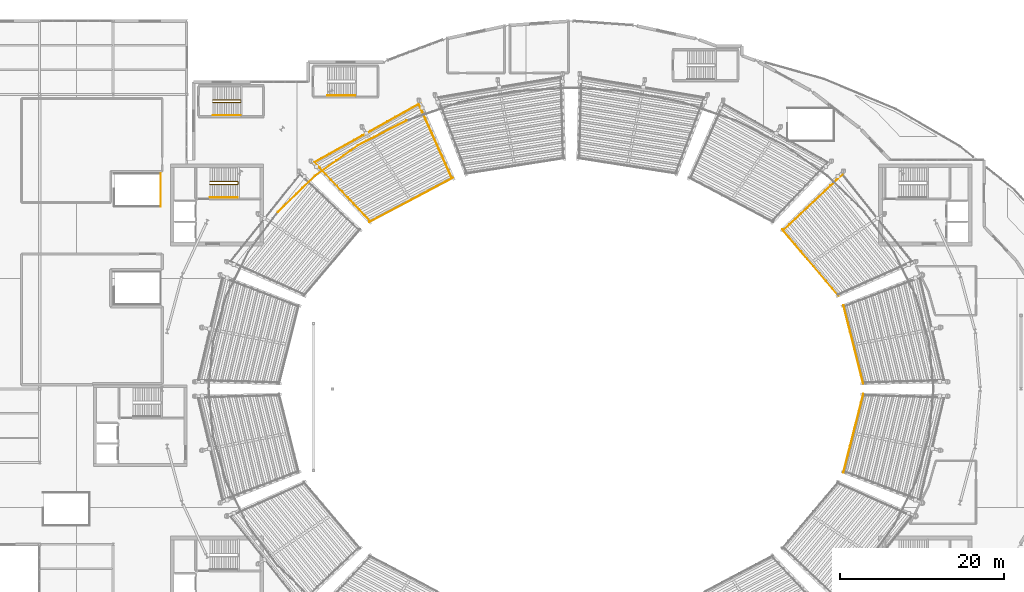
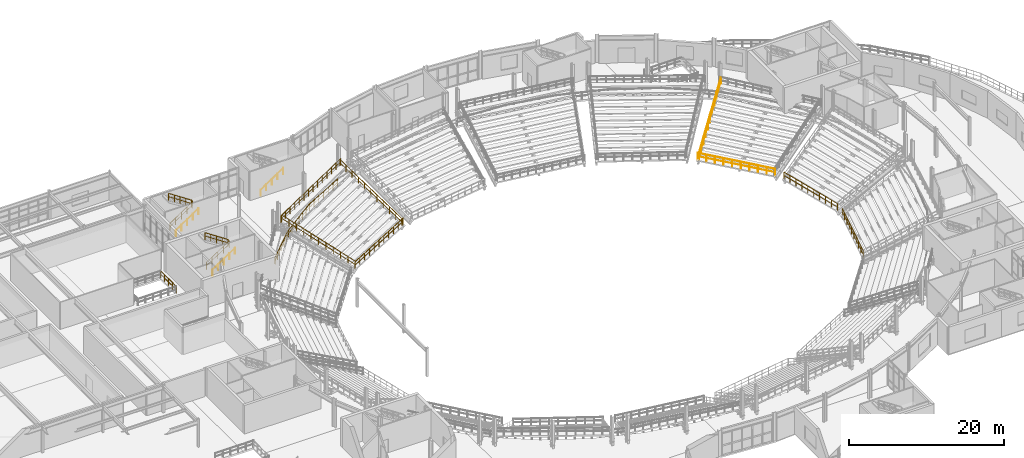
# One storey, part 76 of 81: 17 railings.
"""IFC4 building model written with IfcOpenShell, lengths in metres."""

from ifc_helpers import new_model, si_unit, direction, frame, origin, origin_2d, place, context, subcontext, project, spatial, circle, extrude, material, type_object, element, save


model = new_model("IFC4")

# Units and contexts
model_context = context("Model", 3, precision=1e-05, world=origin(), true_north=direction((0.0, 1.0)))
body_context = subcontext(model_context, "Body", "Model", "MODEL_VIEW")
ifc_project = project(units=[si_unit("LENGTHUNIT", "METRE"), si_unit("AREAUNIT", "SQUARE_METRE"), si_unit("VOLUMEUNIT", "CUBIC_METRE"), si_unit("PLANEANGLEUNIT", "RADIAN"), si_unit("MASSUNIT", "GRAM", prefix="KILO")], contexts=[model_context])

# Site, building, storey
site_placement = place(None, origin())
site = spatial("IfcSite", under=ifc_project, at=site_placement, CompositionType="ELEMENT")
building_placement = place(site_placement, origin())
building = spatial("IfcBuilding", under=site, at=building_placement, Name="Glasvene Arena", CompositionType="ELEMENT")
storey_placement = place(building_placement, frame((0.0, 0.0, 15.0)))
storey = spatial("IfcBuildingStorey", under=building, at=storey_placement, Name="L03", CompositionType="ELEMENT", Elevation=15.0)

# Railings
ifc_material = material(Name="Brushed stainless steel", Category="steel")
railing_type_1 = type_object("IfcRailingType", Name="RL-GUARD-1100", PredefinedType="GUARDRAIL", material=ifc_material)
railing_1_placement = place(storey_placement, frame((47.85009765625, 98.010009765625, 0.0)))
element("IfcRailing", 1, at=railing_1_placement, inside=storey, type_object=railing_type_1, Name="Stair inner well continuous guardrail ST-01-L03", PredefinedType="GUARDRAIL", context=body_context, shape_type="SweptSolid", body=[
    extrude(circle(Radius=0.02392578125, at=origin_2d()), frame((0.0, 0.0, 1.076171875), z_axis=(0.833924910587, 0.0, 0.551877924456), x_axis=(0.0, 1.0, 0.0)), (0.0, 0.0, 1.0), 4.076904296875),
    extrude(circle(Radius=0.01611328125, at=origin_2d()), frame((0.0, 0.0, 0.550048828125), z_axis=(0.833924910587, 0.0, 0.551877924456), x_axis=(0.0, 1.0, 0.0)), (0.0, 0.0, 1.0), 4.076904296875),
    extrude(circle(Radius=0.02392578125, at=origin_2d()), frame((3.39990234375, 0.0, 3.326171875), z_axis=(0.0, 1.0, 0.0), x_axis=(-1.0, 0.0, 0.0)), (0.0, 0.0, 1.0), 0.330078125),
    extrude(circle(Radius=0.01611328125, at=origin_2d()), frame((3.39990234375, 0.0, 2.800048828125), z_axis=(0.0, 1.0, 0.0), x_axis=(-1.0, 0.0, 0.0)), (0.0, 0.0, 1.0), 0.330078125),
    extrude(circle(Radius=0.02392578125, at=origin_2d()), frame((3.39990234375, 0.330078125, 3.326171875), z_axis=(-0.833924910587, 0.0, 0.551877924456), x_axis=(0.0, -1.0, 0.0)), (0.0, 0.0, 1.0), 4.076904296875),
    extrude(circle(Radius=0.01611328125, at=origin_2d()), frame((3.39990234375, 0.330078125, 2.800048828125), z_axis=(-0.833924910587, 0.0, 0.551877924456), x_axis=(0.0, -1.0, 0.0)), (0.0, 0.0, 1.0), 4.076904296875),
    extrude(circle(Radius=0.02099609375, at=origin_2d()), origin(), (0.0, 0.0, 1.0), 1.052001953125),
    extrude(circle(Radius=0.02099609375, at=origin_2d()), frame((0.85009765625, 0.0, 0.5625)), (0.0, 0.0, 1.0), 1.052001953125),
    extrude(circle(Radius=0.02099609375, at=origin_2d()), frame((1.699951171875, 0.0, 1.125)), (0.0, 0.0, 1.0), 1.052001953125),
    extrude(circle(Radius=0.02099609375, at=origin_2d()), frame((2.5498046875, 0.0, 1.6875)), (0.0, 0.0, 1.0), 1.052001953125),
    extrude(circle(Radius=0.02099609375, at=origin_2d()), frame((3.39990234375, 0.0, 2.25)), (0.0, 0.0, 1.0), 1.052001953125),
    extrude(circle(Radius=0.02099609375, at=origin_2d()), frame((3.39990234375, 0.330078125, 2.25)), (0.0, 0.0, 1.0), 1.052001953125),
    extrude(circle(Radius=0.02099609375, at=origin_2d()), frame((2.5498046875, 0.330078125, 2.8125)), (0.0, 0.0, 1.0), 1.052001953125),
    extrude(circle(Radius=0.02099609375, at=origin_2d()), frame((1.699951171875, 0.330078125, 3.375)), (0.0, 0.0, 1.0), 1.052001953125),
    extrude(circle(Radius=0.02099609375, at=origin_2d()), frame((0.85009765625, 0.330078125, 3.9375)), (0.0, 0.0, 1.0), 1.052001953125),
    extrude(circle(Radius=0.02099609375, at=origin_2d()), frame((0.0, 0.330078125, 4.5)), (0.0, 0.0, 1.0), 1.052001953125),
])
railing_2_placement = place(storey_placement, frame((48.199951171875, 108.010009765625, 0.0)))
element("IfcRailing", 2, at=railing_2_placement, inside=storey, type_object=railing_type_1, Name="Stair inner well continuous guardrail ST-12-L03", PredefinedType="GUARDRAIL", context=body_context, shape_type="SweptSolid", body=[
    extrude(circle(Radius=0.02392578125, at=origin_2d()), frame((0.0, 0.0, 1.076171875), z_axis=(0.833943147616, 0.0, 0.551850366082), x_axis=(0.0, 1.0, 0.0)), (0.0, 0.0, 1.0), 4.0771484375),
    extrude(circle(Radius=0.01611328125, at=origin_2d()), frame((0.0, 0.0, 0.550048828125), z_axis=(0.833943147616, 0.0, 0.551850366082), x_axis=(0.0, 1.0, 0.0)), (0.0, 0.0, 1.0), 4.0771484375),
    extrude(circle(Radius=0.02392578125, at=origin_2d()), frame((3.400146484375, 0.0, 3.326171875), z_axis=(0.0, 1.0, 0.0), x_axis=(-1.0, 0.0, 0.0)), (0.0, 0.0, 1.0), 0.330078125),
    extrude(circle(Radius=0.01611328125, at=origin_2d()), frame((3.400146484375, 0.0, 2.800048828125), z_axis=(0.0, 1.0, 0.0), x_axis=(-1.0, 0.0, 0.0)), (0.0, 0.0, 1.0), 0.330078125),
    extrude(circle(Radius=0.02392578125, at=origin_2d()), frame((3.400146484375, 0.330078125, 3.326171875), z_axis=(-0.833943147616, 0.0, 0.551850366082), x_axis=(0.0, -1.0, 0.0)), (0.0, 0.0, 1.0), 4.0771484375),
    extrude(circle(Radius=0.01611328125, at=origin_2d()), frame((3.400146484375, 0.330078125, 2.800048828125), z_axis=(-0.833943147616, 0.0, 0.551850366082), x_axis=(0.0, -1.0, 0.0)), (0.0, 0.0, 1.0), 4.0771484375),
    extrude(circle(Radius=0.02099609375, at=origin_2d()), origin(), (0.0, 0.0, 1.0), 1.052001953125),
    extrude(circle(Radius=0.02099609375, at=origin_2d()), frame((0.85009765625, 0.0, 0.5625)), (0.0, 0.0, 1.0), 1.052001953125),
    extrude(circle(Radius=0.02099609375, at=origin_2d()), frame((1.7001953125, 0.0, 1.125)), (0.0, 0.0, 1.0), 1.052001953125),
    extrude(circle(Radius=0.02099609375, at=origin_2d()), frame((2.550048828125, 0.0, 1.6875)), (0.0, 0.0, 1.0), 1.052001953125),
    extrude(circle(Radius=0.02099609375, at=origin_2d()), frame((3.400146484375, 0.0, 2.25)), (0.0, 0.0, 1.0), 1.052001953125),
    extrude(circle(Radius=0.02099609375, at=origin_2d()), frame((3.400146484375, 0.330078125, 2.25)), (0.0, 0.0, 1.0), 1.052001953125),
    extrude(circle(Radius=0.02099609375, at=origin_2d()), frame((2.550048828125, 0.330078125, 2.8125)), (0.0, 0.0, 1.0), 1.052001953125),
    extrude(circle(Radius=0.02099609375, at=origin_2d()), frame((1.7001953125, 0.330078125, 3.375)), (0.0, 0.0, 1.0), 1.052001953125),
    extrude(circle(Radius=0.02099609375, at=origin_2d()), frame((0.85009765625, 0.330078125, 3.9375)), (0.0, 0.0, 1.0), 1.052001953125),
    extrude(circle(Radius=0.02099609375, at=origin_2d()), frame((0.0, 0.330078125, 4.5)), (0.0, 0.0, 1.0), 1.052001953125),
])
railing_3_placement = place(storey_placement, frame((41.820068359375, 95.320068359375, 0.0)))
element("IfcRailing", 3, at=railing_3_placement, inside=storey, type_object=railing_type_1, Name="Safety guardrail GD-VOM-06-TOP-003", PredefinedType="GUARDRAIL", context=body_context, shape_type="SweptSolid", body=[
    extrude(circle(Radius=0.02392578125, at=origin_2d()), frame((0.0, 0.0, 1.076171875), z_axis=(0.0, 1.0, 0.0), x_axis=(-1.0, 0.0, 0.0)), (0.0, 0.0, 1.0), 4.010009765625),
    extrude(circle(Radius=0.01611328125, at=origin_2d()), frame((0.0, 0.0, 0.550048828125), z_axis=(0.0, 1.0, 0.0), x_axis=(-1.0, 0.0, 0.0)), (0.0, 0.0, 1.0), 4.010009765625),
    extrude(circle(Radius=0.02099609375, at=origin_2d()), origin(), (0.0, 0.0, 1.0), 1.052001953125),
    extrude(circle(Radius=0.02099609375, at=origin_2d()), frame((0.0, 1.00244140625, 0.0)), (0.0, 0.0, 1.0), 1.052001953125),
    extrude(circle(Radius=0.02099609375, at=origin_2d()), frame((0.0, 2.0048828125, 0.0)), (0.0, 0.0, 1.0), 1.052001953125),
    extrude(circle(Radius=0.02099609375, at=origin_2d()), frame((0.0, 3.007568359375, 0.0)), (0.0, 0.0, 1.0), 1.052001953125),
    extrude(circle(Radius=0.02099609375, at=origin_2d()), frame((0.0, 4.010009765625, 0.0)), (0.0, 0.0, 1.0), 1.052001953125),
])
railing_4_placement = place(storey_placement, frame((71.879150390625, 105.806884765625, 0.0)))
element("IfcRailing", 4, at=railing_4_placement, inside=storey, type_object=railing_type_1, Name="Safety guardrail GD-BWL-L03-014", PredefinedType="GUARDRAIL", context=body_context, shape_type="SweptSolid", body=[
    extrude(circle(Radius=0.02392578125, at=origin_2d()), frame((0.0, 0.0, 1.076171875), z_axis=(-0.891160148677, -0.453688868511, 0.0), x_axis=(0.453688868511, -0.891160148677, 0.0)), (0.0, 0.0, 1.0), 6.65380859375),
    extrude(circle(Radius=0.01611328125, at=origin_2d()), frame((0.0, 0.0, 0.550048828125), z_axis=(-0.891160148677, -0.453688868511, 0.0), x_axis=(0.453688868511, -0.891160148677, 0.0)), (0.0, 0.0, 1.0), 6.65380859375),
    extrude(circle(Radius=0.02099609375, at=origin_2d()), origin(), (0.0, 0.0, 1.0), 1.052001953125),
    extrude(circle(Radius=0.02099609375, at=origin_2d()), frame((-0.98828125, -0.503173828125, 0.0)), (0.0, 0.0, 1.0), 1.052001953125),
    extrude(circle(Radius=0.02099609375, at=origin_2d()), frame((-1.9765625, -1.00634765625, 0.0)), (0.0, 0.0, 1.0), 1.052001953125),
    extrude(circle(Radius=0.02099609375, at=origin_2d()), frame((-2.96484375, -1.50927734375, 0.0)), (0.0, 0.0, 1.0), 1.052001953125),
    extrude(circle(Radius=0.02099609375, at=origin_2d()), frame((-3.953125, -2.012451171875, 0.0)), (0.0, 0.0, 1.0), 1.052001953125),
    extrude(circle(Radius=0.02099609375, at=origin_2d()), frame((-4.94140625, -2.515625, 0.0)), (0.0, 0.0, 1.0), 1.052001953125),
    extrude(circle(Radius=0.02099609375, at=origin_2d()), frame((-5.9296875, -3.018798828125, 0.0)), (0.0, 0.0, 1.0), 1.052001953125),
])
railing_5_placement = place(storey_placement, frame((65.949462890625, 102.7880859375, 0.0)))
element("IfcRailing", 5, at=railing_5_placement, inside=storey, type_object=railing_type_1, Name="Safety guardrail GD-BWL-L03-015", PredefinedType="GUARDRAIL", context=body_context, shape_type="SweptSolid", body=[
    extrude(circle(Radius=0.02392578125, at=origin_2d()), frame((0.0, 0.0, 1.076171875), z_axis=(-0.815561022815, -0.57867107934, 0.0), x_axis=(0.57867107934, -0.815561022815, 0.0)), (0.0, 0.0, 1.0), 6.484619140625),
    extrude(circle(Radius=0.01611328125, at=origin_2d()), frame((0.0, 0.0, 0.550048828125), z_axis=(-0.815561022815, -0.57867107934, 0.0), x_axis=(0.57867107934, -0.815561022815, 0.0)), (0.0, 0.0, 1.0), 6.484619140625),
    extrude(circle(Radius=0.02099609375, at=origin_2d()), origin(), (0.0, 0.0, 1.0), 1.052001953125),
    extrude(circle(Radius=0.02099609375, at=origin_2d()), frame((-0.88134765625, -0.62548828125, 0.0)), (0.0, 0.0, 1.0), 1.052001953125),
    extrude(circle(Radius=0.02099609375, at=origin_2d()), frame((-1.762939453125, -1.250732421875, 0.0)), (0.0, 0.0, 1.0), 1.052001953125),
    extrude(circle(Radius=0.02099609375, at=origin_2d()), frame((-2.644287109375, -1.876220703125, 0.0)), (0.0, 0.0, 1.0), 1.052001953125),
    extrude(circle(Radius=0.02099609375, at=origin_2d()), frame((-3.525634765625, -2.501708984375, 0.0)), (0.0, 0.0, 1.0), 1.052001953125),
    extrude(circle(Radius=0.02099609375, at=origin_2d()), frame((-4.4072265625, -3.126953125, 0.0)), (0.0, 0.0, 1.0), 1.052001953125),
    extrude(circle(Radius=0.02099609375, at=origin_2d()), frame((-5.28857421875, -3.75244140625, 0.0)), (0.0, 0.0, 1.0), 1.052001953125),
])
railing_6_placement = place(storey_placement, frame((60.660888671875, 99.03564453125, 0.0)))
element("IfcRailing", 6, at=railing_6_placement, inside=storey, type_object=railing_type_1, Name="Safety guardrail GD-BWL-L03-016", PredefinedType="GUARDRAIL", context=body_context, shape_type="SweptSolid", body=[
    extrude(circle(Radius=0.02392578125, at=origin_2d()), frame((0.0, 0.0, 1.076171875), z_axis=(-0.716822755591, -0.697255431722, 0.0), x_axis=(0.697255431722, -0.716822755591, 0.0)), (0.0, 0.0, 1.0), 6.30078125),
    extrude(circle(Radius=0.01611328125, at=origin_2d()), frame((0.0, 0.0, 0.550048828125), z_axis=(-0.716822755591, -0.697255431722, 0.0), x_axis=(0.697255431722, -0.716822755591, 0.0)), (0.0, 0.0, 1.0), 6.30078125),
    extrude(circle(Radius=0.02099609375, at=origin_2d()), origin(), (0.0, 0.0, 1.0), 1.052001953125),
    extrude(circle(Radius=0.02099609375, at=origin_2d()), frame((-0.752685546875, -0.732177734375, 0.0)), (0.0, 0.0, 1.0), 1.052001953125),
    extrude(circle(Radius=0.02099609375, at=origin_2d()), frame((-1.505615234375, -1.46435546875, 0.0)), (0.0, 0.0, 1.0), 1.052001953125),
    extrude(circle(Radius=0.02099609375, at=origin_2d()), frame((-2.25830078125, -2.19677734375, 0.0)), (0.0, 0.0, 1.0), 1.052001953125),
    extrude(circle(Radius=0.02099609375, at=origin_2d()), frame((-3.010986328125, -2.928955078125, 0.0)), (0.0, 0.0, 1.0), 1.052001953125),
    extrude(circle(Radius=0.02099609375, at=origin_2d()), frame((-3.763916015625, -3.6611328125, 0.0)), (0.0, 0.0, 1.0), 1.052001953125),
    extrude(circle(Radius=0.02099609375, at=origin_2d()), frame((-4.5166015625, -4.393310546875, 0.0)), (0.0, 0.0, 1.0), 1.052001953125),
])
railing_7_placement = place(storey_placement, frame((127.710693359375, 73.64013671875, -3.89990234375)))
element("IfcRailing", 7, at=railing_7_placement, inside=storey, type_object=railing_type_1, Name="Safety guardrail GD-TU-UF-01-001", PredefinedType="GUARDRAIL", context=body_context, shape_type="SweptSolid", body=[
    extrude(circle(Radius=0.02392578125, at=origin_2d()), frame((0.0, 0.0, 1.076171875), z_axis=(-0.24415436349, 0.969736380048, 0.0), x_axis=(-0.969736380048, -0.24415436349, 0.0)), (0.0, 0.0, 1.0), 9.863525390625),
    extrude(circle(Radius=0.01611328125, at=origin_2d()), frame((0.0, 0.0, 0.550048828125), z_axis=(-0.24415436349, 0.969736380048, 0.0), x_axis=(-0.969736380048, -0.24415436349, 0.0)), (0.0, 0.0, 1.0), 9.863525390625),
    extrude(circle(Radius=0.02099609375, at=origin_2d()), origin(), (0.0, 0.0, 1.0), 1.052001953125),
    extrude(circle(Radius=0.02099609375, at=origin_2d()), frame((-0.267578125, 1.062744140625, 0.0)), (0.0, 0.0, 1.0), 1.052001953125),
    extrude(circle(Radius=0.02099609375, at=origin_2d()), frame((-0.53515625, 2.12548828125, 0.0)), (0.0, 0.0, 1.0), 1.052001953125),
    extrude(circle(Radius=0.02099609375, at=origin_2d()), frame((-0.802734375, 3.188232421875, 0.0)), (0.0, 0.0, 1.0), 1.052001953125),
    extrude(circle(Radius=0.02099609375, at=origin_2d()), frame((-1.0703125, 4.2509765625, 0.0)), (0.0, 0.0, 1.0), 1.052001953125),
    extrude(circle(Radius=0.02099609375, at=origin_2d()), frame((-1.337890625, 5.31396484375, 0.0)), (0.0, 0.0, 1.0), 1.052001953125),
    extrude(circle(Radius=0.02099609375, at=origin_2d()), frame((-1.60546875, 6.376708984375, 0.0)), (0.0, 0.0, 1.0), 1.052001953125),
    extrude(circle(Radius=0.02099609375, at=origin_2d()), frame((-1.873046875, 7.439453125, 0.0)), (0.0, 0.0, 1.0), 1.052001953125),
    extrude(circle(Radius=0.02099609375, at=origin_2d()), frame((-2.140625, 8.502197265625, 0.0)), (0.0, 0.0, 1.0), 1.052001953125),
    extrude(circle(Radius=0.02099609375, at=origin_2d()), frame((-2.408203125, 9.56494140625, 0.0)), (0.0, 0.0, 1.0), 1.052001953125),
])
railing_8_placement = place(storey_placement, frame((124.682373046875, 84.387939453125, -3.89990234375)))
element("IfcRailing", 8, at=railing_8_placement, inside=storey, type_object=railing_type_1, Name="Safety guardrail GD-TU-UF-02-001", PredefinedType="GUARDRAIL", context=body_context, shape_type="SweptSolid", body=[
    extrude(circle(Radius=0.02392578125, at=origin_2d()), frame((0.0, 0.0, 1.076171875), z_axis=(-0.645763939383, 0.763537120638, 0.0), x_axis=(-0.763537120638, -0.645763939383, 0.0)), (0.0, 0.0, 1.0), 10.619873046875),
    extrude(circle(Radius=0.01611328125, at=origin_2d()), frame((0.0, 0.0, 0.550048828125), z_axis=(-0.645763939383, 0.763537120638, 0.0), x_axis=(-0.763537120638, -0.645763939383, 0.0)), (0.0, 0.0, 1.0), 10.619873046875),
    extrude(circle(Radius=0.02099609375, at=origin_2d()), origin(), (0.0, 0.0, 1.0), 1.052001953125),
    extrude(circle(Radius=0.02099609375, at=origin_2d()), frame((-0.761962890625, 0.90087890625, 0.0)), (0.0, 0.0, 1.0), 1.052001953125),
    extrude(circle(Radius=0.02099609375, at=origin_2d()), frame((-1.52392578125, 1.802001953125, 0.0)), (0.0, 0.0, 1.0), 1.052001953125),
    extrude(circle(Radius=0.02099609375, at=origin_2d()), frame((-2.285888671875, 2.702880859375, 0.0)), (0.0, 0.0, 1.0), 1.052001953125),
    extrude(circle(Radius=0.02099609375, at=origin_2d()), frame((-3.0478515625, 3.603759765625, 0.0)), (0.0, 0.0, 1.0), 1.052001953125),
    extrude(circle(Radius=0.02099609375, at=origin_2d()), frame((-3.81005859375, 4.5048828125, 0.0)), (0.0, 0.0, 1.0), 1.052001953125),
    extrude(circle(Radius=0.02099609375, at=origin_2d()), frame((-4.572021484375, 5.40576171875, 0.0)), (0.0, 0.0, 1.0), 1.052001953125),
    extrude(circle(Radius=0.02099609375, at=origin_2d()), frame((-5.333984375, 6.306640625, 0.0)), (0.0, 0.0, 1.0), 1.052001953125),
    extrude(circle(Radius=0.02099609375, at=origin_2d()), frame((-6.095947265625, 7.207763671875, 0.0)), (0.0, 0.0, 1.0), 1.052001953125),
    extrude(circle(Radius=0.02099609375, at=origin_2d()), frame((-6.85791015625, 8.108642578125, 0.0)), (0.0, 0.0, 1.0), 1.052001953125),
])
railing_9_placement = place(storey_placement, frame((117.96923828125, 92.4150390625, -3.89990234375)))
element("IfcRailing", 9, at=railing_9_placement, inside=storey, type_object=railing_type_1, Name="Upper tier radial aisle guard 02-2", PredefinedType="GUARDRAIL", context=body_context, shape_type="SweptSolid", body=[
    extrude(circle(Radius=0.02392578125, at=origin_2d()), frame((0.0, 0.0, 1.076171875), z_axis=(0.640950746789, 0.606418263249, 0.470573086979), x_axis=(-0.687267738972, 0.726404195313, 0.0)), (0.0, 0.0, 1.0), 11.219970703125),
    extrude(circle(Radius=0.01611328125, at=origin_2d()), frame((0.0, 0.0, 0.550048828125), z_axis=(0.640950746789, 0.606418263249, 0.470573086979), x_axis=(-0.687267738972, 0.726404195313, 0.0)), (0.0, 0.0, 1.0), 11.219970703125),
    extrude(circle(Radius=0.02099609375, at=origin_2d()), origin(), (0.0, 0.0, 1.0), 1.052001953125),
    extrude(circle(Radius=0.02099609375, at=origin_2d()), frame((0.71923828125, 0.680419921875, 0.528076171875)), (0.0, 0.0, 1.0), 1.052001953125),
    extrude(circle(Radius=0.02099609375, at=origin_2d()), frame((1.438232421875, 1.36083984375, 1.055908203125)), (0.0, 0.0, 1.0), 1.052001953125),
    extrude(circle(Radius=0.02099609375, at=origin_2d()), frame((2.157470703125, 2.041259765625, 1.583984375)), (0.0, 0.0, 1.0), 1.052001953125),
    extrude(circle(Radius=0.02099609375, at=origin_2d()), frame((2.87646484375, 2.7216796875, 2.11181640625)), (0.0, 0.0, 1.0), 1.052001953125),
    extrude(circle(Radius=0.02099609375, at=origin_2d()), frame((3.595703125, 3.40185546875, 2.639892578125)), (0.0, 0.0, 1.0), 1.052001953125),
    extrude(circle(Radius=0.02099609375, at=origin_2d()), frame((4.31494140625, 4.082275390625, 3.16796875)), (0.0, 0.0, 1.0), 1.052001953125),
    extrude(circle(Radius=0.02099609375, at=origin_2d()), frame((5.033935546875, 4.7626953125, 3.69580078125)), (0.0, 0.0, 1.0), 1.052001953125),
    extrude(circle(Radius=0.02099609375, at=origin_2d()), frame((5.753173828125, 5.443115234375, 4.223876953125)), (0.0, 0.0, 1.0), 1.052001953125),
    extrude(circle(Radius=0.02099609375, at=origin_2d()), frame((6.47216796875, 6.12353515625, 4.751708984375)), (0.0, 0.0, 1.0), 1.052001953125),
    extrude(circle(Radius=0.02099609375, at=origin_2d()), frame((7.19140625, 6.803955078125, 5.27978515625)), (0.0, 0.0, 1.0), 1.052001953125),
])
railing_10_placement = place(storey_placement, frame((77.58544921875, 98.8203125, -3.89990234375)))
element("IfcRailing", 10, at=railing_10_placement, inside=storey, type_object=railing_type_1, Name="Safety guardrail GD-TU-UF-06-001", PredefinedType="GUARDRAIL", context=body_context, shape_type="SweptSolid", body=[
    extrude(circle(Radius=0.02392578125, at=origin_2d()), frame((0.0, 0.0, 1.076171875), z_axis=(-0.884339402023, -0.466844537324, 0.0), x_axis=(0.466844537324, -0.884339402023, 0.0)), (0.0, 0.0, 1.0), 11.60595703125),
    extrude(circle(Radius=0.01611328125, at=origin_2d()), frame((0.0, 0.0, 0.550048828125), z_axis=(-0.884339402023, -0.466844537324, 0.0), x_axis=(0.466844537324, -0.884339402023, 0.0)), (0.0, 0.0, 1.0), 11.60595703125),
    extrude(circle(Radius=0.02099609375, at=origin_2d()), origin(), (0.0, 0.0, 1.0), 1.052001953125),
    extrude(circle(Radius=0.02099609375, at=origin_2d()), frame((-1.0263671875, -0.541748046875, 0.0)), (0.0, 0.0, 1.0), 1.052001953125),
    extrude(circle(Radius=0.02099609375, at=origin_2d()), frame((-2.052734375, -1.083740234375, 0.0)), (0.0, 0.0, 1.0), 1.052001953125),
    extrude(circle(Radius=0.02099609375, at=origin_2d()), frame((-3.0791015625, -1.62548828125, 0.0)), (0.0, 0.0, 1.0), 1.052001953125),
    extrude(circle(Radius=0.02099609375, at=origin_2d()), frame((-4.10546875, -2.167236328125, 0.0)), (0.0, 0.0, 1.0), 1.052001953125),
    extrude(circle(Radius=0.02099609375, at=origin_2d()), frame((-5.1318359375, -2.708984375, 0.0)), (0.0, 0.0, 1.0), 1.052001953125),
    extrude(circle(Radius=0.02099609375, at=origin_2d()), frame((-6.158203125, -3.2509765625, 0.0)), (0.0, 0.0, 1.0), 1.052001953125),
    extrude(circle(Radius=0.02099609375, at=origin_2d()), frame((-7.1845703125, -3.792724609375, 0.0)), (0.0, 0.0, 1.0), 1.052001953125),
    extrude(circle(Radius=0.02099609375, at=origin_2d()), frame((-8.2109375, -4.33447265625, 0.0)), (0.0, 0.0, 1.0), 1.052001953125),
    extrude(circle(Radius=0.02099609375, at=origin_2d()), frame((-9.2373046875, -4.87646484375, 0.0)), (0.0, 0.0, 1.0), 1.052001953125),
    extrude(circle(Radius=0.02099609375, at=origin_2d()), frame((-10.263671875, -5.418212890625, 0.0)), (0.0, 0.0, 1.0), 1.052001953125),
])
railing_11_placement = place(storey_placement, frame((73.566162109375, 107.93310546875, 1.3798828125)))
element("IfcRailing", 11, at=railing_11_placement, inside=storey, type_object=railing_type_1, Name="Safety guardrail GD-TU-UR-06-001", PredefinedType="GUARDRAIL", context=body_context, shape_type="SweptSolid", body=[
    extrude(circle(Radius=0.02392578125, at=origin_2d()), frame((0.0, 0.0, 1.076171875), z_axis=(-0.873075045676, -0.487585853587, 0.0), x_axis=(0.487585853587, -0.873075045676, 0.0)), (0.0, 0.0, 1.0), 15.033935546875),
    extrude(circle(Radius=0.01611328125, at=origin_2d()), frame((0.0, 0.0, 0.550048828125), z_axis=(-0.873075045676, -0.487585853587, 0.0), x_axis=(0.487585853587, -0.873075045676, 0.0)), (0.0, 0.0, 1.0), 15.033935546875),
    extrude(circle(Radius=0.02099609375, at=origin_2d()), origin(), (0.0, 0.0, 1.0), 1.052001953125),
    extrude(circle(Radius=0.02099609375, at=origin_2d()), frame((-1.009765625, -0.56396484375, 0.0)), (0.0, 0.0, 1.0), 1.052001953125),
    extrude(circle(Radius=0.02099609375, at=origin_2d()), frame((-2.019287109375, -1.127685546875, 0.0)), (0.0, 0.0, 1.0), 1.052001953125),
    extrude(circle(Radius=0.02099609375, at=origin_2d()), frame((-3.029052734375, -1.691650390625, 0.0)), (0.0, 0.0, 1.0), 1.052001953125),
    extrude(circle(Radius=0.02099609375, at=origin_2d()), frame((-4.03857421875, -2.25537109375, 0.0)), (0.0, 0.0, 1.0), 1.052001953125),
    extrude(circle(Radius=0.02099609375, at=origin_2d()), frame((-5.04833984375, -2.8193359375, 0.0)), (0.0, 0.0, 1.0), 1.052001953125),
    extrude(circle(Radius=0.02099609375, at=origin_2d()), frame((-6.05810546875, -3.38330078125, 0.0)), (0.0, 0.0, 1.0), 1.052001953125),
    extrude(circle(Radius=0.02099609375, at=origin_2d()), frame((-7.067626953125, -3.947021484375, 0.0)), (0.0, 0.0, 1.0), 1.052001953125),
    extrude(circle(Radius=0.02099609375, at=origin_2d()), frame((-8.077392578125, -4.510986328125, 0.0)), (0.0, 0.0, 1.0), 1.052001953125),
    extrude(circle(Radius=0.02099609375, at=origin_2d()), frame((-9.087158203125, -5.074951171875, 0.0)), (0.0, 0.0, 1.0), 1.052001953125),
    extrude(circle(Radius=0.02099609375, at=origin_2d()), frame((-10.0966796875, -5.638671875, 0.0)), (0.0, 0.0, 1.0), 1.052001953125),
    extrude(circle(Radius=0.02099609375, at=origin_2d()), frame((-11.1064453125, -6.20263671875, 0.0)), (0.0, 0.0, 1.0), 1.052001953125),
    extrude(circle(Radius=0.02099609375, at=origin_2d()), frame((-12.115966796875, -6.766357421875, 0.0)), (0.0, 0.0, 1.0), 1.052001953125),
    extrude(circle(Radius=0.02099609375, at=origin_2d()), frame((-13.125732421875, -7.330322265625, 0.0)), (0.0, 0.0, 1.0), 1.052001953125),
])
railing_12_placement = place(storey_placement, frame((77.409912109375, 98.790283203125, -3.89990234375)))
element("IfcRailing", 12, at=railing_12_placement, inside=storey, type_object=railing_type_1, Name="Upper tier radial aisle guard 06-1", PredefinedType="GUARDRAIL", context=body_context, shape_type="SweptSolid", body=[
    extrude(circle(Radius=0.02392578125, at=origin_2d()), frame((0.0, 0.0, 1.076171875), z_axis=(-0.36011745781, 0.805531618618, 0.470567984447), x_axis=(-0.912924660078, -0.408128123292, 0.0)), (0.0, 0.0, 1.0), 11.219970703125),
    extrude(circle(Radius=0.01611328125, at=origin_2d()), frame((0.0, 0.0, 0.550048828125), z_axis=(-0.36011745781, 0.805531618618, 0.470567984447), x_axis=(-0.912924660078, -0.408128123292, 0.0)), (0.0, 0.0, 1.0), 11.219970703125),
    extrude(circle(Radius=0.02099609375, at=origin_2d()), origin(), (0.0, 0.0, 1.0), 1.052001953125),
    extrude(circle(Radius=0.02099609375, at=origin_2d()), frame((-0.404052734375, 0.90380859375, 0.528076171875)), (0.0, 0.0, 1.0), 1.052001953125),
    extrude(circle(Radius=0.02099609375, at=origin_2d()), frame((-0.80810546875, 1.8076171875, 1.055908203125)), (0.0, 0.0, 1.0), 1.052001953125),
    extrude(circle(Radius=0.02099609375, at=origin_2d()), frame((-1.212158203125, 2.71142578125, 1.583984375)), (0.0, 0.0, 1.0), 1.052001953125),
    extrude(circle(Radius=0.02099609375, at=origin_2d()), frame((-1.6162109375, 3.615234375, 2.11181640625)), (0.0, 0.0, 1.0), 1.052001953125),
    extrude(circle(Radius=0.02099609375, at=origin_2d()), frame((-2.020263671875, 4.51904296875, 2.639892578125)), (0.0, 0.0, 1.0), 1.052001953125),
    extrude(circle(Radius=0.02099609375, at=origin_2d()), frame((-2.42431640625, 5.4228515625, 3.16796875)), (0.0, 0.0, 1.0), 1.052001953125),
    extrude(circle(Radius=0.02099609375, at=origin_2d()), frame((-2.828369140625, 6.32666015625, 3.69580078125)), (0.0, 0.0, 1.0), 1.052001953125),
    extrude(circle(Radius=0.02099609375, at=origin_2d()), frame((-3.232421875, 7.23046875, 4.223876953125)), (0.0, 0.0, 1.0), 1.052001953125),
    extrude(circle(Radius=0.02099609375, at=origin_2d()), frame((-3.636474609375, 8.13427734375, 4.751708984375)), (0.0, 0.0, 1.0), 1.052001953125),
    extrude(circle(Radius=0.02099609375, at=origin_2d()), frame((-4.04052734375, 9.0380859375, 5.27978515625)), (0.0, 0.0, 1.0), 1.052001953125),
])
railing_13_placement = place(storey_placement, frame((67.430419921875, 93.521240234375, -3.89990234375)))
element("IfcRailing", 13, at=railing_13_placement, inside=storey, type_object=railing_type_1, Name="Upper tier radial aisle guard 06-2", PredefinedType="GUARDRAIL", context=body_context, shape_type="SweptSolid", body=[
    extrude(circle(Radius=0.02392578125, at=origin_2d()), frame((0.0, 0.0, 1.076171875), z_axis=(-0.60640450532, 0.640959204418, 0.470579296399), x_axis=(-0.726416506845, -0.687254726126, 0.0)), (0.0, 0.0, 1.0), 11.2197265625),
    extrude(circle(Radius=0.01611328125, at=origin_2d()), frame((0.0, 0.0, 0.550048828125), z_axis=(-0.60640450532, 0.640959204418, 0.470579296399), x_axis=(-0.726416506845, -0.687254726126, 0.0)), (0.0, 0.0, 1.0), 11.2197265625),
    extrude(circle(Radius=0.02099609375, at=origin_2d()), origin(), (0.0, 0.0, 1.0), 1.052001953125),
    extrude(circle(Radius=0.02099609375, at=origin_2d()), frame((-0.680419921875, 0.71923828125, 0.528076171875)), (0.0, 0.0, 1.0), 1.052001953125),
    extrude(circle(Radius=0.02099609375, at=origin_2d()), frame((-1.36083984375, 1.438232421875, 1.055908203125)), (0.0, 0.0, 1.0), 1.052001953125),
    extrude(circle(Radius=0.02099609375, at=origin_2d()), frame((-2.041015625, 2.157470703125, 1.583984375)), (0.0, 0.0, 1.0), 1.052001953125),
    extrude(circle(Radius=0.02099609375, at=origin_2d()), frame((-2.721435546875, 2.87646484375, 2.11181640625)), (0.0, 0.0, 1.0), 1.052001953125),
    extrude(circle(Radius=0.02099609375, at=origin_2d()), frame((-3.40185546875, 3.595703125, 2.639892578125)), (0.0, 0.0, 1.0), 1.052001953125),
    extrude(circle(Radius=0.02099609375, at=origin_2d()), frame((-4.082275390625, 4.31494140625, 3.16796875)), (0.0, 0.0, 1.0), 1.052001953125),
    extrude(circle(Radius=0.02099609375, at=origin_2d()), frame((-4.7626953125, 5.033935546875, 3.69580078125)), (0.0, 0.0, 1.0), 1.052001953125),
    extrude(circle(Radius=0.02099609375, at=origin_2d()), frame((-5.44287109375, 5.753173828125, 4.223876953125)), (0.0, 0.0, 1.0), 1.052001953125),
    extrude(circle(Radius=0.02099609375, at=origin_2d()), frame((-6.123291015625, 6.47216796875, 4.751708984375)), (0.0, 0.0, 1.0), 1.052001953125),
    extrude(circle(Radius=0.02099609375, at=origin_2d()), frame((-6.8037109375, 7.19140625, 5.27978515625)), (0.0, 0.0, 1.0), 1.052001953125),
])
railing_14_placement = place(storey_placement, frame((125.302490234375, 62.794921875, -3.89990234375)))
element("IfcRailing", 14, at=railing_14_placement, inside=storey, type_object=railing_type_1, Name="Safety guardrail GD-TU-UF-16-001", PredefinedType="GUARDRAIL", context=body_context, shape_type="SweptSolid", body=[
    extrude(circle(Radius=0.02392578125, at=origin_2d()), frame((0.0, 0.0, 1.076171875), z_axis=(0.24415436349, 0.969736380048, 0.0), x_axis=(-0.969736380048, 0.24415436349, 0.0)), (0.0, 0.0, 1.0), 9.863525390625),
    extrude(circle(Radius=0.01611328125, at=origin_2d()), frame((0.0, 0.0, 0.550048828125), z_axis=(0.24415436349, 0.969736380048, 0.0), x_axis=(-0.969736380048, 0.24415436349, 0.0)), (0.0, 0.0, 1.0), 9.863525390625),
    extrude(circle(Radius=0.02099609375, at=origin_2d()), origin(), (0.0, 0.0, 1.0), 1.052001953125),
    extrude(circle(Radius=0.02099609375, at=origin_2d()), frame((0.267578125, 1.062744140625, 0.0)), (0.0, 0.0, 1.0), 1.052001953125),
    extrude(circle(Radius=0.02099609375, at=origin_2d()), frame((0.53515625, 2.12548828125, 0.0)), (0.0, 0.0, 1.0), 1.052001953125),
    extrude(circle(Radius=0.02099609375, at=origin_2d()), frame((0.802734375, 3.188232421875, 0.0)), (0.0, 0.0, 1.0), 1.052001953125),
    extrude(circle(Radius=0.02099609375, at=origin_2d()), frame((1.0703125, 4.2509765625, 0.0)), (0.0, 0.0, 1.0), 1.052001953125),
    extrude(circle(Radius=0.02099609375, at=origin_2d()), frame((1.337890625, 5.31396484375, 0.0)), (0.0, 0.0, 1.0), 1.052001953125),
    extrude(circle(Radius=0.02099609375, at=origin_2d()), frame((1.60546875, 6.376708984375, 0.0)), (0.0, 0.0, 1.0), 1.052001953125),
    extrude(circle(Radius=0.02099609375, at=origin_2d()), frame((1.873046875, 7.439453125, 0.0)), (0.0, 0.0, 1.0), 1.052001953125),
    extrude(circle(Radius=0.02099609375, at=origin_2d()), frame((2.140625, 8.502197265625, 0.0)), (0.0, 0.0, 1.0), 1.052001953125),
    extrude(circle(Radius=0.02099609375, at=origin_2d()), frame((2.408203125, 9.56494140625, 0.0)), (0.0, 0.0, 1.0), 1.052001953125),
])
railing_type_2 = type_object("IfcRailingType", Name="RL-HAND-950", PredefinedType="HANDRAIL", material=ifc_material)
railing_15_placement = place(storey_placement, frame((47.85009765625, 96.409912109375, 0.0)))
element("IfcRailing", 15, at=railing_15_placement, inside=storey, type_object=railing_type_2, Name="Stair wall handrail ST-01-L03", PredefinedType="HANDRAIL", context=body_context, shape_type="SweptSolid", body=[
    extrude(circle(Radius=0.02392578125, at=origin_2d()), frame((0.0, 0.0, 0.92578125), z_axis=(0.830896709279, 0.0, 0.556426687452), x_axis=(0.0, 1.0, 0.0)), (0.0, 0.0, 1.0), 4.043701171875),
    extrude(circle(Radius=0.02099609375, at=origin_2d()), origin(), (0.0, 0.0, 1.0), 0.90185546875),
    extrude(circle(Radius=0.02099609375, at=origin_2d()), frame((0.83984375, 0.0, 0.5625)), (0.0, 0.0, 1.0), 0.90185546875),
    extrude(circle(Radius=0.02099609375, at=origin_2d()), frame((1.679931640625, 0.0, 1.125)), (0.0, 0.0, 1.0), 0.90185546875),
    extrude(circle(Radius=0.02099609375, at=origin_2d()), frame((2.52001953125, 0.0, 1.6875)), (0.0, 0.0, 1.0), 0.90185546875),
    extrude(circle(Radius=0.02099609375, at=origin_2d()), frame((3.35986328125, 0.0, 2.25)), (0.0, 0.0, 1.0), 0.90185546875),
])
for number, where, name in (
    (16, (62.199951171875, 108.860107421875, 0.0), "Stair wall handrail ST-10-L03"),
    (17, (48.199951171875, 106.4599609375, 0.0), "Stair wall handrail ST-12-L03"),
):
    element("IfcRailing", number, at=place(storey_placement, frame(where)), inside=storey, type_object=railing_type_2, Name=name, PredefinedType="HANDRAIL", context=body_context, shape_type="SweptSolid", body=[
        extrude(circle(Radius=0.02392578125, at=origin_2d()), frame((0.0, 0.0, 0.92578125), z_axis=(0.830915400975, 0.0, 0.556398774641), x_axis=(0.0, 1.0, 0.0)), (0.0, 0.0, 1.0), 4.0439453125),
        extrude(circle(Radius=0.02099609375, at=origin_2d()), origin(), (0.0, 0.0, 1.0), 0.90185546875),
        extrude(circle(Radius=0.02099609375, at=origin_2d()), frame((0.840087890625, 0.0, 0.5625)), (0.0, 0.0, 1.0), 0.90185546875),
        extrude(circle(Radius=0.02099609375, at=origin_2d()), frame((1.68017578125, 0.0, 1.125)), (0.0, 0.0, 1.0), 0.90185546875),
        extrude(circle(Radius=0.02099609375, at=origin_2d()), frame((2.52001953125, 0.0, 1.6875)), (0.0, 0.0, 1.0), 0.90185546875),
        extrude(circle(Radius=0.02099609375, at=origin_2d()), frame((3.360107421875, 0.0, 2.25)), (0.0, 0.0, 1.0), 0.90185546875),
    ])

save(model, "model.ifc")
